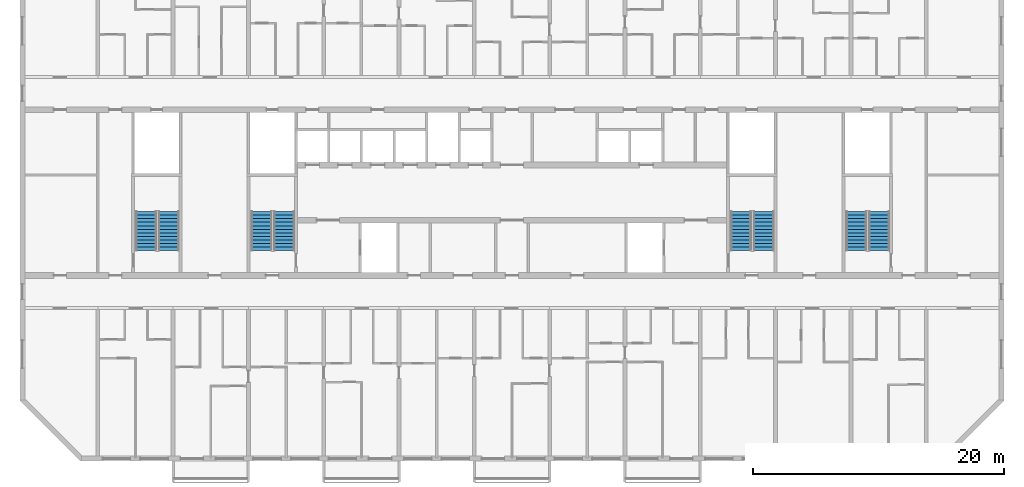
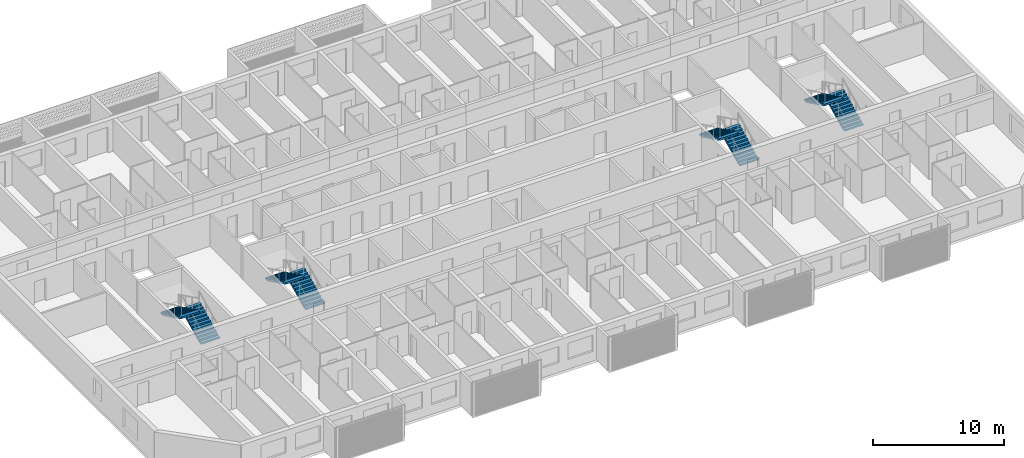
# One storey, part 13 of 32: 8 stair flights, 4 elements without a shape of their own.
"""IFC4 building model written with IfcOpenShell, lengths in metres."""

from ifc_helpers import new_model, si_unit, direction, frame, origin, place, context, subcontext, project, spatial, polyline, outline, extrude, material, layer, layer_set, type_object, element, aggregate, save


model = new_model("IFC4")

# Units and contexts
model_context = context("Model", 3, precision=1e-05, world=origin(), true_north=direction((0.0, 1.0)))
body_context = subcontext(model_context, "Body", "Model", "MODEL_VIEW")
ifc_project = project(units=[si_unit("LENGTHUNIT", "METRE"), si_unit("AREAUNIT", "SQUARE_METRE"), si_unit("VOLUMEUNIT", "CUBIC_METRE"), si_unit("PLANEANGLEUNIT", "RADIAN"), si_unit("MASSUNIT", "GRAM", prefix="KILO")], contexts=[model_context])

# Site, building, storey
site_placement = place(None, origin())
site = spatial("IfcSite", under=ifc_project, at=site_placement, CompositionType="ELEMENT")
building_placement = place(site_placement, origin())
building = spatial("IfcBuilding", under=site, at=building_placement, Name="Poui Terraces", CompositionType="ELEMENT")
storey_placement = place(building_placement, frame((0.0, 0.0, 155.39990234375)))
storey = spatial("IfcBuildingStorey", under=building, at=storey_placement, Name="L43", CompositionType="ELEMENT", Elevation=155.39990234375)

# Stair, stair flights
ifc_material = material(Name="Concrete 65 MPa", Category="concrete")
stair_type = type_object("IfcStairType", Name="EXIT STAIR 1650 65 MPA", PredefinedType="HALF_TURN_STAIR", material=ifc_material)
stair_1_placement = place(storey_placement, origin())
stair_1 = element("IfcStair", 1, at=stair_1_placement, inside=storey, type_object=stair_type, Name="L43 CORE STAIR EAST", PredefinedType="HALF_TURN_STAIR")
ifc_layer = layer(ifc_material, 0.14990234375)
ifc_layer_set = layer_set([ifc_layer], Name="Concrete 65 MPa")
stair_flight_type = type_object("IfcStairFlightType", Name="STAIR FLIGHT 12 RISERS 138 RISE 65 MPA", PredefinedType="STRAIGHT", material=ifc_layer_set)
stair_flight_1_placement = place(storey_placement, frame((71.050048828125, 16.60009765625, 0.0), z_axis=(0.0, 0.0, 1.0), x_axis=(0.0, 1.0, 0.0)))
stair_flight_1 = element("IfcStairFlight", 2, at=stair_flight_1_placement, type_object=stair_flight_type, Name="ST-CE flight 1", NumberOfRisers=12, NumberOfTreads=11, PredefinedType="STRAIGHT", RiserHeight=0.1375, TreadLength=0.28, context=body_context, shape_type="SweptSolid", body=[
    extrude(outline(polyline([(0.0, 0.0), (0.0, 0.137451171875), (0.280029296875, 0.137451171875), (0.280029296875, 0.27490234375), (0.56005859375, 0.27490234375), (0.56005859375, 0.41259765625), (0.840087890625, 0.41259765625), (0.840087890625, 0.550048828125), (1.1201171875, 0.550048828125), (1.1201171875, 0.6875), (1.39990234375, 0.6875), (1.39990234375, 0.824951171875), (1.679931640625, 0.824951171875), (1.679931640625, 0.96240234375), (1.9599609375, 0.96240234375), (1.9599609375, 1.10009765625), (2.239990234375, 1.10009765625), (2.239990234375, 1.237548828125), (2.52001953125, 1.237548828125), (2.52001953125, 1.375), (2.800048828125, 1.375), (2.800048828125, 1.512451171875), (3.080078125, 1.512451171875), (3.080078125, 1.64990234375), (3.080078125, 1.345458984375), (0.340087890625, 0.0), (0.0, 0.0)])), frame((0.0, 0.824951171875, 0.0), z_axis=(0.0, -1.0, 0.0), x_axis=(1.0, 0.0, 0.0)), (0.0, 0.0, 1.0), 1.64990234375),
])
stair_flight_2_placement = place(storey_placement, frame((69.25, 19.679931640625, 1.650146484375), z_axis=(0.0, 0.0, 1.0), x_axis=(0.0, -1.0, 0.0)))
stair_flight_2 = element("IfcStairFlight", 3, at=stair_flight_2_placement, type_object=stair_flight_type, Name="ST-CE flight 2", NumberOfRisers=12, NumberOfTreads=11, PredefinedType="STRAIGHT", RiserHeight=0.1375, TreadLength=0.28, context=body_context, shape_type="SweptSolid", body=[
    extrude(outline(polyline([(0.0, 0.0), (0.0, 0.137451171875), (0.280029296875, 0.137451171875), (0.280029296875, 0.27490234375), (0.56005859375, 0.27490234375), (0.56005859375, 0.41259765625), (0.840087890625, 0.41259765625), (0.840087890625, 0.550048828125), (1.1201171875, 0.550048828125), (1.1201171875, 0.6875), (1.39990234375, 0.6875), (1.39990234375, 0.824951171875), (1.679931640625, 0.824951171875), (1.679931640625, 0.96240234375), (1.9599609375, 0.96240234375), (1.9599609375, 1.10009765625), (2.239990234375, 1.10009765625), (2.239990234375, 1.237548828125), (2.52001953125, 1.237548828125), (2.52001953125, 1.375), (2.800048828125, 1.375), (2.800048828125, 1.512451171875), (3.080078125, 1.512451171875), (3.080078125, 1.64990234375), (3.080078125, 1.345458984375), (0.340087890625, 0.0), (0.0, 0.0)])), frame((0.0, 0.824951171875, 0.0), z_axis=(0.0, -1.0, 0.0), x_axis=(1.0, 0.0, 0.0)), (0.0, 0.0, 1.0), 1.64990234375),
])
aggregate(stair_1, [stair_flight_1, stair_flight_2])

stair_2_placement = place(storey_placement, origin())
stair_2 = element("IfcStair", 4, at=stair_2_placement, inside=storey, type_object=stair_type, Name="L43 CORE STAIR WEST", PredefinedType="HALF_TURN_STAIR")
stair_flight_3_placement = place(storey_placement, frame((32.85009765625, 16.60009765625, 0.0), z_axis=(0.0, 0.0, 1.0), x_axis=(0.0, 1.0, 0.0)))
stair_flight_3 = element("IfcStairFlight", 5, at=stair_flight_3_placement, type_object=stair_flight_type, Name="ST-CW flight 1", NumberOfRisers=12, NumberOfTreads=11, PredefinedType="STRAIGHT", RiserHeight=0.1375, TreadLength=0.28, context=body_context, shape_type="SweptSolid", body=[
    extrude(outline(polyline([(0.0, 0.0), (0.0, 0.137451171875), (0.280029296875, 0.137451171875), (0.280029296875, 0.27490234375), (0.56005859375, 0.27490234375), (0.56005859375, 0.41259765625), (0.840087890625, 0.41259765625), (0.840087890625, 0.550048828125), (1.1201171875, 0.550048828125), (1.1201171875, 0.6875), (1.39990234375, 0.6875), (1.39990234375, 0.824951171875), (1.679931640625, 0.824951171875), (1.679931640625, 0.96240234375), (1.9599609375, 0.96240234375), (1.9599609375, 1.10009765625), (2.239990234375, 1.10009765625), (2.239990234375, 1.237548828125), (2.52001953125, 1.237548828125), (2.52001953125, 1.375), (2.800048828125, 1.375), (2.800048828125, 1.512451171875), (3.080078125, 1.512451171875), (3.080078125, 1.64990234375), (3.080078125, 1.345458984375), (0.340087890625, 0.0), (0.0, 0.0)])), frame((0.0, 0.824951171875, 0.0), z_axis=(0.0, -1.0, 0.0), x_axis=(1.0, 0.0, 0.0)), (0.0, 0.0, 1.0), 1.64990234375),
])
stair_flight_4_placement = place(storey_placement, frame((31.050048828125, 19.679931640625, 1.650146484375), z_axis=(0.0, 0.0, 1.0), x_axis=(0.0, -1.0, 0.0)))
stair_flight_4 = element("IfcStairFlight", 6, at=stair_flight_4_placement, type_object=stair_flight_type, Name="ST-CW flight 2", NumberOfRisers=12, NumberOfTreads=11, PredefinedType="STRAIGHT", RiserHeight=0.1375, TreadLength=0.28, context=body_context, shape_type="SweptSolid", body=[
    extrude(outline(polyline([(0.0, 0.0), (0.0, 0.137451171875), (0.280029296875, 0.137451171875), (0.280029296875, 0.27490234375), (0.56005859375, 0.27490234375), (0.56005859375, 0.41259765625), (0.840087890625, 0.41259765625), (0.840087890625, 0.550048828125), (1.1201171875, 0.550048828125), (1.1201171875, 0.6875), (1.39990234375, 0.6875), (1.39990234375, 0.824951171875), (1.679931640625, 0.824951171875), (1.679931640625, 0.96240234375), (1.9599609375, 0.96240234375), (1.9599609375, 1.10009765625), (2.239990234375, 1.10009765625), (2.239990234375, 1.237548828125), (2.52001953125, 1.237548828125), (2.52001953125, 1.375), (2.800048828125, 1.375), (2.800048828125, 1.512451171875), (3.080078125, 1.512451171875), (3.080078125, 1.64990234375), (3.080078125, 1.345458984375), (0.340087890625, 0.0), (0.0, 0.0)])), frame((0.0, 0.824951171875, 0.0), z_axis=(0.0, -1.0, 0.0), x_axis=(1.0, 0.0, 0.0)), (0.0, 0.0, 1.0), 1.64990234375),
])
aggregate(stair_2, [stair_flight_3, stair_flight_4])

stair_3_placement = place(storey_placement, origin())
stair_3 = element("IfcStair", 7, at=stair_3_placement, inside=storey, type_object=stair_type, Name="L43 TIP STAIR EAST", PredefinedType="HALF_TURN_STAIR")
stair_flight_5_placement = place(storey_placement, frame((80.25, 16.60009765625, 0.0), z_axis=(0.0, 0.0, 1.0), x_axis=(0.0, 1.0, 0.0)))
stair_flight_5 = element("IfcStairFlight", 8, at=stair_flight_5_placement, type_object=stair_flight_type, Name="ST-E flight 1", NumberOfRisers=12, NumberOfTreads=11, PredefinedType="STRAIGHT", RiserHeight=0.1375, TreadLength=0.28, context=body_context, shape_type="SweptSolid", body=[
    extrude(outline(polyline([(0.0, 0.0), (0.0, 0.137451171875), (0.280029296875, 0.137451171875), (0.280029296875, 0.27490234375), (0.56005859375, 0.27490234375), (0.56005859375, 0.41259765625), (0.840087890625, 0.41259765625), (0.840087890625, 0.550048828125), (1.1201171875, 0.550048828125), (1.1201171875, 0.6875), (1.39990234375, 0.6875), (1.39990234375, 0.824951171875), (1.679931640625, 0.824951171875), (1.679931640625, 0.96240234375), (1.9599609375, 0.96240234375), (1.9599609375, 1.10009765625), (2.239990234375, 1.10009765625), (2.239990234375, 1.237548828125), (2.52001953125, 1.237548828125), (2.52001953125, 1.375), (2.800048828125, 1.375), (2.800048828125, 1.512451171875), (3.080078125, 1.512451171875), (3.080078125, 1.64990234375), (3.080078125, 1.345458984375), (0.340087890625, 0.0), (0.0, 0.0)])), frame((0.0, 0.824951171875, 0.0), z_axis=(0.0, -1.0, 0.0), x_axis=(1.0, 0.0, 0.0)), (0.0, 0.0, 1.0), 1.64990234375),
])
stair_flight_6_placement = place(storey_placement, frame((78.449951171875, 19.679931640625, 1.650146484375), z_axis=(0.0, 0.0, 1.0), x_axis=(0.0, -1.0, 0.0)))
stair_flight_6 = element("IfcStairFlight", 9, at=stair_flight_6_placement, type_object=stair_flight_type, Name="ST-E flight 2", NumberOfRisers=12, NumberOfTreads=11, PredefinedType="STRAIGHT", RiserHeight=0.1375, TreadLength=0.28, context=body_context, shape_type="SweptSolid", body=[
    extrude(outline(polyline([(0.0, 0.0), (0.0, 0.137451171875), (0.280029296875, 0.137451171875), (0.280029296875, 0.27490234375), (0.56005859375, 0.27490234375), (0.56005859375, 0.41259765625), (0.840087890625, 0.41259765625), (0.840087890625, 0.550048828125), (1.1201171875, 0.550048828125), (1.1201171875, 0.6875), (1.39990234375, 0.6875), (1.39990234375, 0.824951171875), (1.679931640625, 0.824951171875), (1.679931640625, 0.96240234375), (1.9599609375, 0.96240234375), (1.9599609375, 1.10009765625), (2.239990234375, 1.10009765625), (2.239990234375, 1.237548828125), (2.52001953125, 1.237548828125), (2.52001953125, 1.375), (2.800048828125, 1.375), (2.800048828125, 1.512451171875), (3.080078125, 1.512451171875), (3.080078125, 1.64990234375), (3.080078125, 1.345458984375), (0.340087890625, 0.0), (0.0, 0.0)])), frame((0.0, 0.824951171875, 0.0), z_axis=(0.0, -1.0, 0.0), x_axis=(1.0, 0.0, 0.0)), (0.0, 0.0, 1.0), 1.64990234375),
])
aggregate(stair_3, [stair_flight_5, stair_flight_6])

stair_4_placement = place(storey_placement, origin())
stair_4 = element("IfcStair", 10, at=stair_4_placement, inside=storey, type_object=stair_type, Name="L43 TIP STAIR WEST", PredefinedType="HALF_TURN_STAIR")
stair_flight_7_placement = place(storey_placement, frame((23.64990234375, 16.60009765625, 0.0), z_axis=(0.0, 0.0, 1.0), x_axis=(0.0, 1.0, 0.0)))
stair_flight_7 = element("IfcStairFlight", 11, at=stair_flight_7_placement, type_object=stair_flight_type, Name="ST-W flight 1", NumberOfRisers=12, NumberOfTreads=11, PredefinedType="STRAIGHT", RiserHeight=0.1375, TreadLength=0.28, context=body_context, shape_type="SweptSolid", body=[
    extrude(outline(polyline([(0.0, 0.0), (0.0, 0.137451171875), (0.280029296875, 0.137451171875), (0.280029296875, 0.27490234375), (0.56005859375, 0.27490234375), (0.56005859375, 0.41259765625), (0.840087890625, 0.41259765625), (0.840087890625, 0.550048828125), (1.1201171875, 0.550048828125), (1.1201171875, 0.6875), (1.39990234375, 0.6875), (1.39990234375, 0.824951171875), (1.679931640625, 0.824951171875), (1.679931640625, 0.96240234375), (1.9599609375, 0.96240234375), (1.9599609375, 1.10009765625), (2.239990234375, 1.10009765625), (2.239990234375, 1.237548828125), (2.52001953125, 1.237548828125), (2.52001953125, 1.375), (2.800048828125, 1.375), (2.800048828125, 1.512451171875), (3.080078125, 1.512451171875), (3.080078125, 1.64990234375), (3.080078125, 1.345458984375), (0.340087890625, 0.0), (0.0, 0.0)])), frame((0.0, 0.824951171875, 0.0), z_axis=(0.0, -1.0, 0.0), x_axis=(1.0, 0.0, 0.0)), (0.0, 0.0, 1.0), 1.64990234375),
])
stair_flight_8_placement = place(storey_placement, frame((21.85009765625, 19.679931640625, 1.650146484375), z_axis=(0.0, 0.0, 1.0), x_axis=(0.0, -1.0, 0.0)))
stair_flight_8 = element("IfcStairFlight", 12, at=stair_flight_8_placement, type_object=stair_flight_type, Name="ST-W flight 2", NumberOfRisers=12, NumberOfTreads=11, PredefinedType="STRAIGHT", RiserHeight=0.1375, TreadLength=0.28, context=body_context, shape_type="SweptSolid", body=[
    extrude(outline(polyline([(0.0, 0.0), (0.0, 0.137451171875), (0.280029296875, 0.137451171875), (0.280029296875, 0.27490234375), (0.56005859375, 0.27490234375), (0.56005859375, 0.41259765625), (0.840087890625, 0.41259765625), (0.840087890625, 0.550048828125), (1.1201171875, 0.550048828125), (1.1201171875, 0.6875), (1.39990234375, 0.6875), (1.39990234375, 0.824951171875), (1.679931640625, 0.824951171875), (1.679931640625, 0.96240234375), (1.9599609375, 0.96240234375), (1.9599609375, 1.10009765625), (2.239990234375, 1.10009765625), (2.239990234375, 1.237548828125), (2.52001953125, 1.237548828125), (2.52001953125, 1.375), (2.800048828125, 1.375), (2.800048828125, 1.512451171875), (3.080078125, 1.512451171875), (3.080078125, 1.64990234375), (3.080078125, 1.345458984375), (0.340087890625, 0.0), (0.0, 0.0)])), frame((0.0, 0.824951171875, 0.0), z_axis=(0.0, -1.0, 0.0), x_axis=(1.0, 0.0, 0.0)), (0.0, 0.0, 1.0), 1.64990234375),
])
aggregate(stair_4, [stair_flight_7, stair_flight_8])

save(model, "model.ifc")
